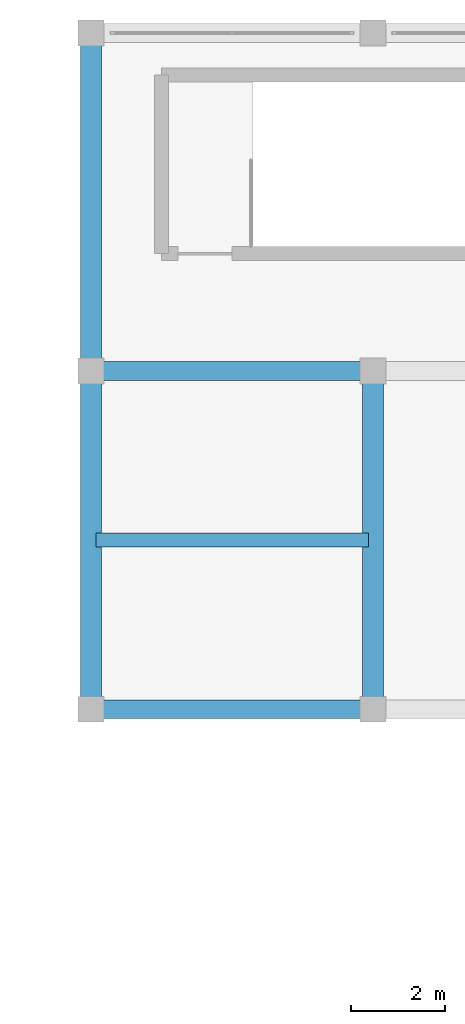
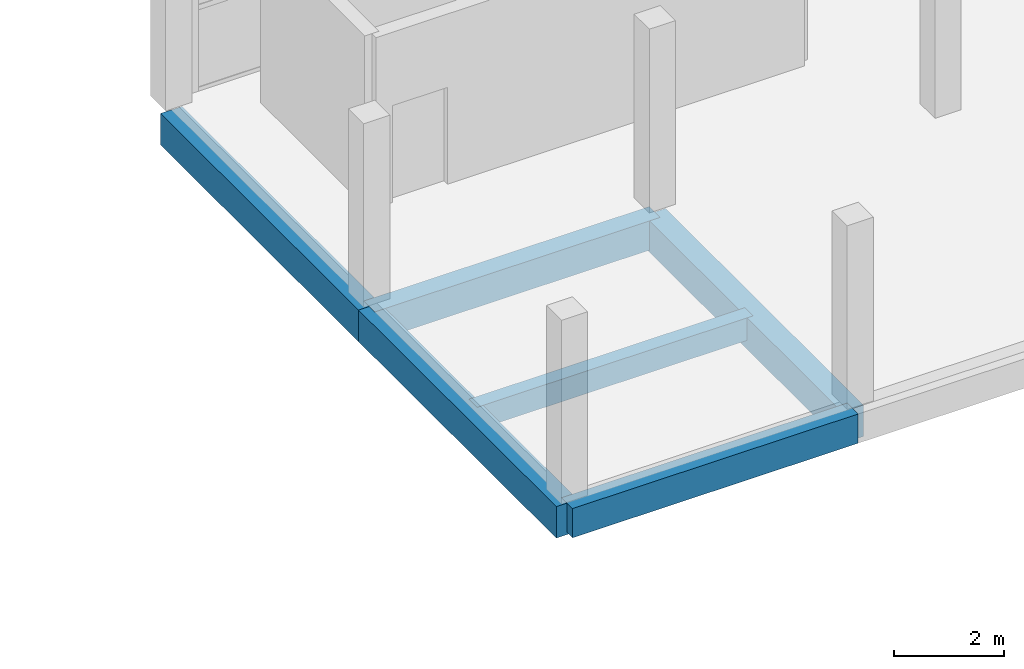
# One storey, part 70 of 127: 6 beams.
"""IFC4 building model written with IfcOpenShell, lengths in metres."""

import ifcopenshell
import ifcopenshell.guid

model = None  # the IFC model being written
_history = None  # IfcOwnerHistory: only IFC2X3 demands one
_inside = {}  # id of a spatial element -> (the spatial element, [elements in it])
_under = {}  # id of a project, library or spatial element -> (it, [spatial elements below it])
_declared = {}  # id of a project -> (the project, [libraries it declares])
_typed = {}  # id of a type object -> (the type object, [elements of that type])
_made_of = {}  # id of a material, layer set ... -> (it, [elements and type objects made of it])


def new_model(schema):
    """Start an empty IFC model of exactly this schema.

    Asked for "IFC4X3", IfcOpenShell would pick the latest addendum, in which some entities
    have other attributes; the version numbers below select the first issue.
    IFC2X3 requires an IfcOwnerHistory on every rooted entity: one is made here for all.
    """
    global model, _history
    if schema == "IFC4X3":
        model = ifcopenshell.file(schema_version=(4, 3, 0, 0))
    else:
        model = ifcopenshell.file(schema=schema)
    _inside.clear()
    _under.clear()
    _declared.clear()
    _typed.clear()
    _made_of.clear()
    _history = None
    if model.schema == "IFC2X3":
        org = make("IfcOrganization", Name="unknown")
        user = make(
            "IfcPersonAndOrganization",
            ThePerson=make("IfcPerson", FamilyName="unknown"),
            TheOrganization=org,
        )
        app = make(
            "IfcApplication",
            ApplicationDeveloper=org,
            Version="unknown",
            ApplicationFullName="unknown",
            ApplicationIdentifier="unknown",
        )
        _history = make(
            "IfcOwnerHistory",
            OwningUser=user,
            OwningApplication=app,
            ChangeAction="ADDED",
            CreationDate=0,
        )
    return model


def make(cls, **values):
    """One entity of the class cls with the attributes given. An attribute that is None is left unset."""
    return model.create_entity(
        cls, **{name: value for name, value in values.items() if value is not None}
    )


def rooted(cls, **values):
    """An entity with a GlobalId (a new one), such as an element, a storey or a relation."""
    return make(cls, GlobalId=ifcopenshell.guid.new(), OwnerHistory=_history, **values)


def si_unit(unit_type, name, prefix=None):
    """IfcSIUnit, for example si_unit("LENGTHUNIT", "METRE", prefix="MILLI")."""
    return make("IfcSIUnit", UnitType=unit_type, Prefix=prefix, Name=name)


def assignment(units):
    """IfcUnitAssignment: the units of a project."""
    return None if units is None else make("IfcUnitAssignment", Units=units)


def point(xyz):
    """IfcCartesianPoint."""
    return None if xyz is None else make("IfcCartesianPoint", Coordinates=xyz)


def direction(xyz):
    """IfcDirection."""
    return None if xyz is None else make("IfcDirection", DirectionRatios=xyz)


def frame(location, z_axis=None, x_axis=None):
    """IfcAxis2Placement3D, a coordinate frame: its origin and axes. An axis left out is left unset."""
    return make(
        "IfcAxis2Placement3D",
        Location=point(location),
        Axis=direction(z_axis),
        RefDirection=direction(x_axis),
    )


def frame_2d(location, x_axis=None):
    """IfcAxis2Placement2D, a coordinate frame in the plane: its origin and x axis."""
    return make(
        "IfcAxis2Placement2D", Location=point(location), RefDirection=direction(x_axis)
    )


def origin():
    """The frame at (0, 0, 0) with its axes left unset."""
    return frame((0.0, 0.0, 0.0))


def origin_2d():
    """The frame at (0, 0) in the plane with its x axis left unset."""
    return frame_2d((0.0, 0.0))


def place(relative_to, where):
    """IfcLocalPlacement: puts the frame where relative to a parent placement (None: the world)."""
    return make(
        "IfcLocalPlacement", PlacementRelTo=relative_to, RelativePlacement=where
    )


def context(
    kind, dimensions, precision=None, world=None, true_north=None, identifier=None
):
    """IfcGeometricRepresentationContext, for example the 3D "Model" context."""
    return make(
        "IfcGeometricRepresentationContext",
        ContextIdentifier=identifier,
        ContextType=kind,
        CoordinateSpaceDimension=dimensions,
        Precision=precision,
        WorldCoordinateSystem=world,
        TrueNorth=true_north,
    )


def subcontext(parent, identifier, kind, view, scale=None):
    """IfcGeometricRepresentationSubContext, for example "Body" below "Model"."""
    return make(
        "IfcGeometricRepresentationSubContext",
        ContextIdentifier=identifier,
        ContextType=kind,
        ParentContext=parent,
        TargetScale=scale,
        TargetView=view,
    )


def project(units=None, contexts=None):
    """IfcProject with its units and contexts."""
    return rooted(
        "IfcProject",
        Name="project",
        RepresentationContexts=contexts,
        UnitsInContext=assignment(units),
    )


def spatial(cls, under=None, at=None, **own):
    """A site, building, storey or space (cls), placed at a placement, below another one or the project."""
    s = rooted(cls, ObjectPlacement=at, **own)
    if under is not None:
        _under.setdefault(under.id(), (under, []))[1].append(s)
    return s


def profile(cls, at=None, kind="AREA", **sizes):
    """A parametric profile (cls). Its sizes go by their IFC names, for example OverallWidth=200.0."""
    return make(cls, ProfileType=kind, Position=at, **sizes)


def rectangle(**sizes):
    """IfcRectangleProfileDef."""
    return profile("IfcRectangleProfileDef", **sizes)


def extrude(swept, where, along, depth):
    """IfcExtrudedAreaSolid: the profile swept, set in the frame where, extruded along a direction by depth."""
    return make(
        "IfcExtrudedAreaSolid",
        SweptArea=swept,
        Position=where,
        ExtrudedDirection=direction(along),
        Depth=depth,
    )


def shape(context_of_items, identifier, shape_type, items):
    """IfcShapeRepresentation: the items that make up one representation, for example the "Body"."""
    return make(
        "IfcShapeRepresentation",
        ContextOfItems=context_of_items,
        RepresentationIdentifier=identifier,
        RepresentationType=shape_type,
        Items=items,
    )


def material(Name=None, Category=None):
    """IfcMaterial."""
    return make("IfcMaterial", Name=Name, Category=Category)


def material_profile(
    of_material, cross_section, Name=None, Category=None, Priority=None
):
    """IfcMaterialProfile: a cross section and its material."""
    return make(
        "IfcMaterialProfile",
        Name=Name,
        Material=of_material,
        Profile=cross_section,
        Priority=Priority,
        Category=Category,
    )


def profile_set(profiles, Name=None, composite=None):
    """IfcMaterialProfileSet."""
    return make(
        "IfcMaterialProfileSet",
        Name=Name,
        MaterialProfiles=profiles,
        CompositeProfile=composite,
    )


def made_of(thing, what):
    """Note that an element or type object is made of a material, layer set ...; save() writes the relation."""
    if what is not None:
        _made_of.setdefault(what.id(), (what, []))[1].append(thing)
    return thing


def type_object(cls, material=None, **own):
    """A type object (cls), such as IfcWallType, which elements share."""
    return made_of(rooted(cls, **own), material)


def element(
    cls,
    number,
    at=None,
    inside=None,
    cuts=None,
    type_object=None,
    material=None,
    context=None,
    identifier="Body",
    shape_type=None,
    held_by="IfcProductDefinitionShape",
    body=None,
    shapes=None,
    **own,
):
    """One element of the class cls, such as IfcWall. Its Tag is "e" and its number.

    at: its placement. inside: the storey or other place that contains it. cuts: it is an
    opening in that element (IfcRelVoidsElement). A single representation is given by context,
    identifier, shape_type and body (its items); several are given by shapes. held_by: the class
    of the entity that holds the representations. save() writes the other relations.
    """
    e = rooted(cls, Tag="e%d" % number, ObjectPlacement=at, **own)
    if body is not None:
        shapes = [shape(context, identifier, shape_type, body)]
    if shapes is not None:
        e.Representation = make(held_by, Representations=shapes)
    if inside is not None:
        _inside.setdefault(inside.id(), (inside, []))[1].append(e)
    if cuts is not None:
        rooted(
            "IfcRelVoidsElement", RelatingBuildingElement=cuts, RelatedOpeningElement=e
        )
    if type_object is not None:
        _typed.setdefault(type_object.id(), (type_object, []))[1].append(e)
    return made_of(e, material)


def aggregate(whole, parts):
    """IfcRelAggregates: a whole, such as a stair, and the parts it consists of."""
    return rooted("IfcRelAggregates", RelatingObject=whole, RelatedObjects=parts)


def save(model, path):
    """Write the relations noted so far, then the file.

    IfcRelAggregates (storeys below a building ...), IfcRelContainedInSpatialStructure (elements
    in a storey), IfcRelDefinesByType, IfcRelAssociatesMaterial and IfcRelDeclares: one each for
    every whole, place, type object, material and project.
    """
    for whole, parts in _under.values():
        aggregate(whole, parts)
    for where, things in _inside.values():
        rooted(
            "IfcRelContainedInSpatialStructure",
            RelatedElements=things,
            RelatingStructure=where,
        )
    for kind, things in _typed.values():
        rooted("IfcRelDefinesByType", RelatedObjects=things, RelatingType=kind)
    for what, things in _made_of.values():
        rooted("IfcRelAssociatesMaterial", RelatedObjects=things, RelatingMaterial=what)
    for by, libraries in _declared.values():
        rooted("IfcRelDeclares", RelatingContext=by, RelatedDefinitions=libraries)
    model.write(path)


model = new_model("IFC4")

# Units and contexts
model_context = context("Model", 3, precision=1e-05, world=origin(), true_north=direction((0.0, 1.0)))
body_context = subcontext(model_context, "Body", "Model", "MODEL_VIEW")
ifc_project = project(units=[si_unit("LENGTHUNIT", "METRE"), si_unit("AREAUNIT", "SQUARE_METRE"), si_unit("VOLUMEUNIT", "CUBIC_METRE"), si_unit("PLANEANGLEUNIT", "RADIAN"), si_unit("MASSUNIT", "GRAM", prefix="KILO")], contexts=[model_context])

# Site, building, storey
site_placement = place(None, origin())
site = spatial("IfcSite", under=ifc_project, at=site_placement, CompositionType="ELEMENT")
building_placement = place(site_placement, origin())
building = spatial("IfcBuilding", under=site, at=building_placement, Name="Dunvalen Ferry Terminal", CompositionType="ELEMENT")
storey_placement = place(building_placement, frame((0.0, 0.0, 5.760009765625)))
storey = spatial("IfcBuildingStorey", under=building, at=storey_placement, Name="L01", CompositionType="ELEMENT", Elevation=5.760009765625)

# Beams
ifc_material_1 = material(Name="Concrete C35/45", Category="concrete")
ifc_material_profile_1 = material_profile(ifc_material_1, rectangle(XDim=0.300048828125, YDim=0.5, at=origin_2d()), Name="Concrete C35/45")
ifc_profile_set_1 = profile_set([ifc_material_profile_1], Name="Concrete C35/45")
beam_type_1 = type_object("IfcBeamType", Name="STR-BM-RCB500", PredefinedType="JOIST", material=ifc_profile_set_1)
beam_placement = place(storey_placement, frame((120.10009765625, 104.39990234375, -0.489990234375), z_axis=(1.0, 0.0, 0.0), x_axis=(0.0, 1.0, 0.0)))
element("IfcBeam", 1, at=beam_placement, inside=storey, type_object=beam_type_1, Name="L01 V3B2 Secondary Joist 001", PredefinedType="JOIST", context=body_context, shape_type="SweptSolid", body=[
    extrude(rectangle(XDim=0.300048828125, YDim=0.5, at=origin_2d()), origin(), (0.0, 0.0, 1.0), 5.7998046875),
])
ifc_material_2 = material(Name="Concrete C40/50", Category="concrete")
ifc_material_profile_2 = material_profile(ifc_material_2, rectangle(XDim=0.39990234375, YDim=0.64990234375, at=origin_2d()), Name="Concrete C40/50")
ifc_profile_set_2 = profile_set([ifc_material_profile_2], Name="Concrete C40/50")
beam_type_2 = type_object("IfcBeamType", Name="STR-BM-RCB650", PredefinedType="BEAM", material=ifc_profile_set_2)
for number, where, z_axis, x_axis, name in (
    (2, (120.0, 100.800048828125, -0.56494140625), (1.0, 0.0, 0.0), (0.0, 1.0, 0.0), "L01 V3B2 Primary Beam X-001"),
    (3, (120.0, 108.0, -0.56494140625), (1.0, 0.0, 0.0), (0.0, 1.0, 0.0), "L01 V3B2 Primary Beam X-005"),
):
    element("IfcBeam", number, at=place(storey_placement, frame(where, z_axis=z_axis, x_axis=x_axis)), inside=storey, type_object=beam_type_2, Name=name, PredefinedType="BEAM", context=body_context, shape_type="SweptSolid", body=[
        extrude(rectangle(XDim=0.39990234375, YDim=0.64990234375, at=origin_2d()), origin(), (0.0, 0.0, 1.0), 6.0),
    ])
ifc_material_profile_3 = material_profile(ifc_material_2, rectangle(XDim=0.449951171875, YDim=0.699951171875, at=origin_2d()), Name="Concrete C40/50")
ifc_profile_set_3 = profile_set([ifc_material_profile_3], Name="Concrete C40/50")
beam_type_3 = type_object("IfcBeamType", Name="STR-BM-RCB700", PredefinedType="BEAM", material=ifc_profile_set_3)
for number, where, z_axis, x_axis, name in (
    (4, (120.0, 100.800048828125, -0.590087890625), (0.0, 1.0, 0.0), (-1.0, 0.0, 0.0), "L01 V3B2 Primary Girder Y-013"),
    (5, (120.0, 108.0, -0.590087890625), (0.0, 1.0, 0.0), (-1.0, 0.0, 0.0), "L01 V3B2 Primary Girder Y-014"),
    (6, (126.0, 100.800048828125, -0.590087890625), (0.0, 1.0, 0.0), (-1.0, 0.0, 0.0), "L01 V3B2 Primary Girder Y-015"),
):
    element("IfcBeam", number, at=place(storey_placement, frame(where, z_axis=z_axis, x_axis=x_axis)), inside=storey, type_object=beam_type_3, Name=name, PredefinedType="BEAM", context=body_context, shape_type="SweptSolid", body=[
        extrude(rectangle(XDim=0.449951171875, YDim=0.699951171875, at=origin_2d()), origin(), (0.0, 0.0, 1.0), 7.199951171875),
    ])

save(model, "model.ifc")
